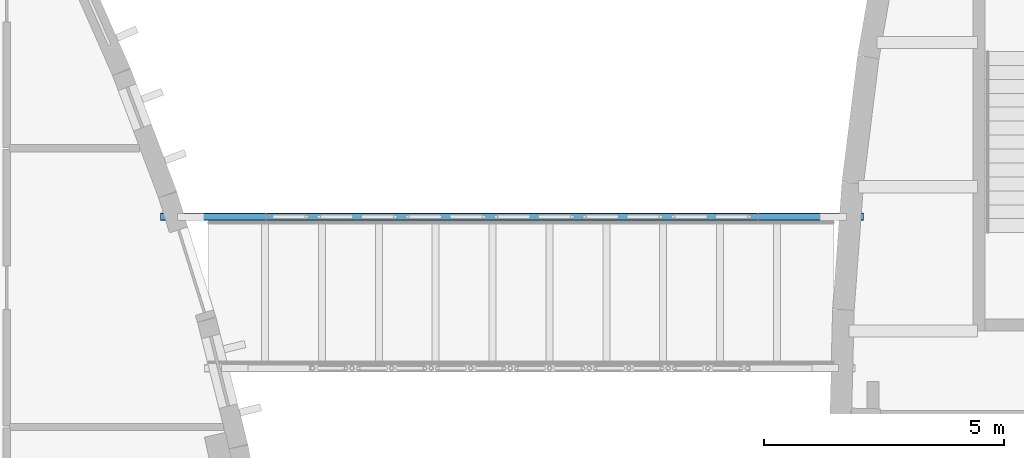
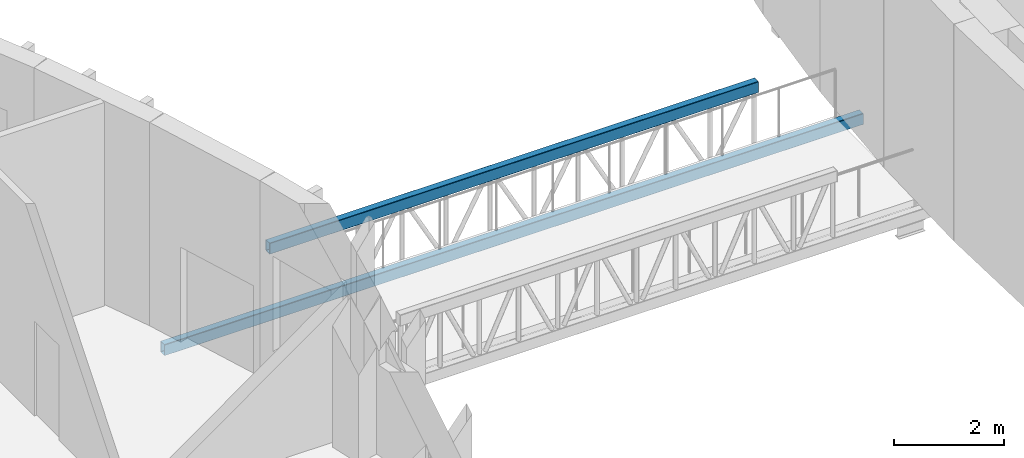
# One storey, part 15 of 93: 2 members.
"""IFC4 building model written with IfcOpenShell, lengths in metres."""

from ifc_helpers import new_model, si_unit, direction, frame, origin, origin_2d, place, context, subcontext, project, spatial, hollow_rectangle, extrude, material, material_profile, profile_set, type_object, element, save


model = new_model("IFC4")

# Units and contexts
model_context = context("Model", 3, precision=1e-05, world=origin(), true_north=direction((0.0, 1.0)))
body_context = subcontext(model_context, "Body", "Model", "MODEL_VIEW")
ifc_project = project(units=[si_unit("LENGTHUNIT", "METRE"), si_unit("AREAUNIT", "SQUARE_METRE"), si_unit("VOLUMEUNIT", "CUBIC_METRE"), si_unit("PLANEANGLEUNIT", "RADIAN"), si_unit("MASSUNIT", "GRAM", prefix="KILO")], contexts=[model_context])

# Site, building, storey
site_placement = place(None, origin())
site = spatial("IfcSite", under=ifc_project, at=site_placement, CompositionType="ELEMENT")
building_placement = place(site_placement, origin())
building = spatial("IfcBuilding", under=site, at=building_placement, Name="Tide Square Theatres", CompositionType="ELEMENT")
storey_placement = place(building_placement, frame((0.0, 0.0, 5.39990234375)))
storey = spatial("IfcBuildingStorey", under=building, at=storey_placement, Name="L01", CompositionType="ELEMENT", Elevation=5.39990234375)

# Members
ifc_material = material(Name="Steel ASTM A500 Grade C", Category="steel")
ifc_material_profile = material_profile(ifc_material, hollow_rectangle(XDim=0.14990234375, YDim=0.25, WallThickness=0.008056640625, InnerFilletRadius=0.008056640625, OuterFilletRadius=0.01611328125, at=origin_2d()))
ifc_profile_set = profile_set([ifc_material_profile], Name="Steel ASTM A500 Grade C")
member_type = type_object("IfcMemberType", Name="Steel chord RHS 250 x 150 x 8.0", PredefinedType="CHORD", material=ifc_profile_set)
member_1_placement = place(storey_placement, frame((48.7509765625, 59.574951171875, -0.27490234375), z_axis=(1.0, 0.0, 0.0), x_axis=(0.0, 1.0, 0.0)))
element("IfcMember", 1, at=member_1_placement, inside=storey, type_object=member_type, Name="Bridge BR-W1 bottom chord", PredefinedType="CHORD", context=body_context, shape_type="SweptSolid", body=[
    extrude(hollow_rectangle(XDim=0.14990234375, YDim=0.25, WallThickness=0.008056640625, InnerFilletRadius=0.008056640625, OuterFilletRadius=0.01611328125, at=origin_2d()), origin(), (0.0, 0.0, 1.0), 14.62109375),
])
member_2_placement = place(storey_placement, frame((50.950927734375, 59.574951171875, 1.2001953125), z_axis=(1.0, 0.0, 0.0), x_axis=(0.0, 1.0, 0.0)))
element("IfcMember", 2, at=member_2_placement, inside=storey, type_object=member_type, Name="Bridge BR-W1 top chord", PredefinedType="CHORD", context=body_context, shape_type="SweptSolid", body=[
    extrude(hollow_rectangle(XDim=0.14990234375, YDim=0.25, WallThickness=0.008056640625, InnerFilletRadius=0.008056640625, OuterFilletRadius=0.01611328125, at=origin_2d()), origin(), (0.0, 0.0, 1.0), 10.22119140625),
])

save(model, "model.ifc")
